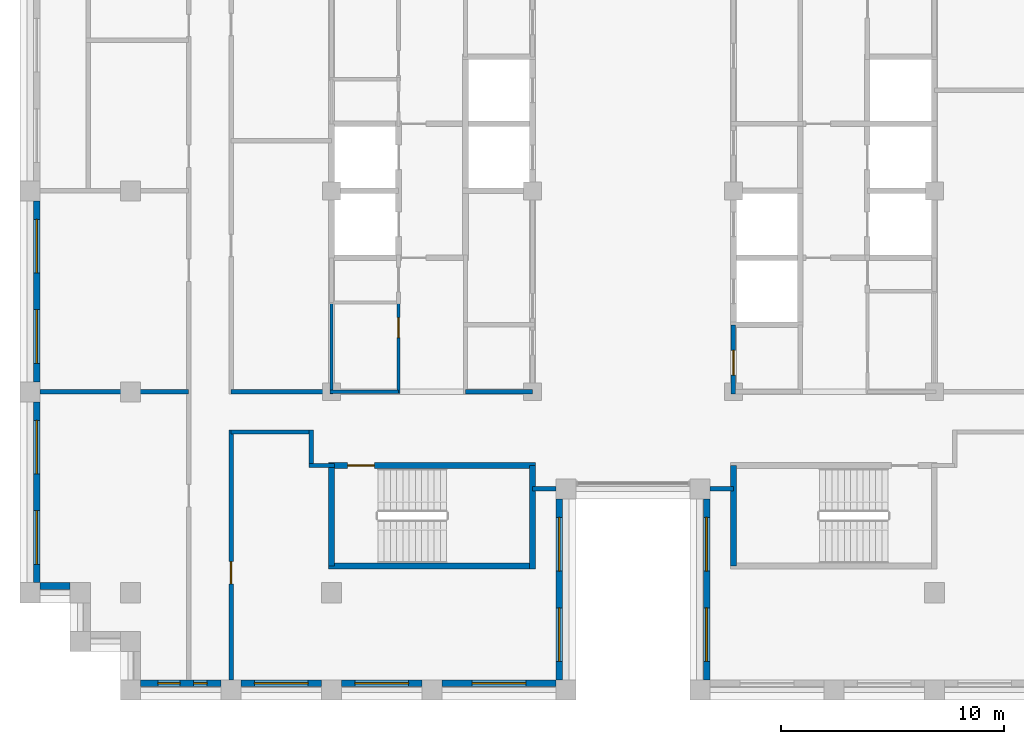
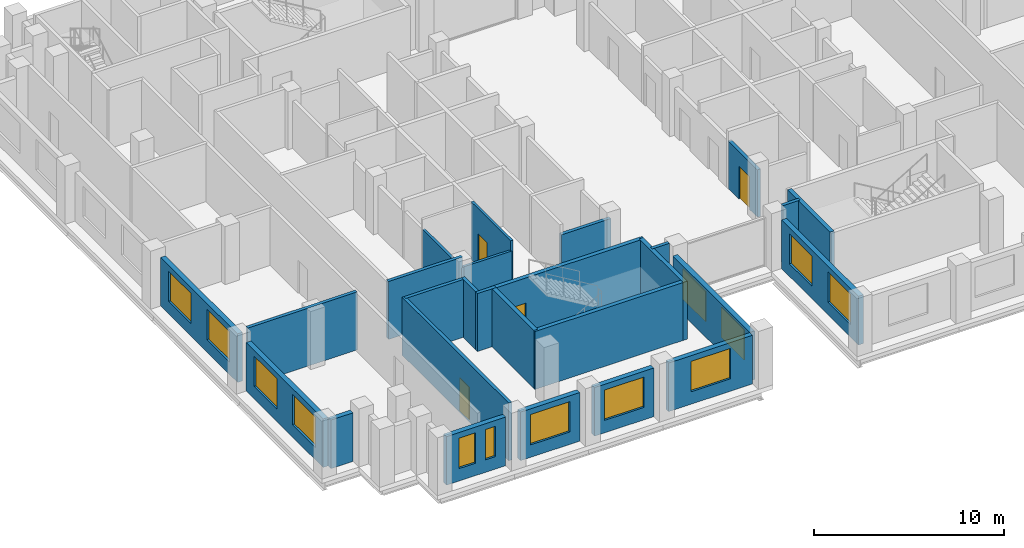
# One storey, part 6 of 13: 27 walls, 13 windows, 4 doors, 17 openings.
"""IFC4 building model written with IfcOpenShell, lengths in metres."""

from ifc_helpers import new_model, si_unit, direction, frame, frame_2d, origin, place, context, subcontext, project, spatial, rectangle, extrude, material, layer, layer_set, type_object, element, fill, save


model = new_model("IFC4")

# Units and contexts
model_context = context("Model", 3, precision=1e-05, world=origin(), true_north=direction((0.0, 1.0)))
body_context = subcontext(model_context, "Body", "Model", "MODEL_VIEW")
ifc_project = project(units=[si_unit("LENGTHUNIT", "METRE"), si_unit("AREAUNIT", "SQUARE_METRE"), si_unit("VOLUMEUNIT", "CUBIC_METRE"), si_unit("PLANEANGLEUNIT", "RADIAN"), si_unit("MASSUNIT", "GRAM", prefix="KILO")], contexts=[model_context])

# Site, building, storey
site_placement = place(None, origin())
site = spatial("IfcSite", under=ifc_project, at=site_placement, CompositionType="ELEMENT")
building_placement = place(site_placement, origin())
building = spatial("IfcBuilding", under=site, at=building_placement, Name="Corbelhall Arena Tower", CompositionType="ELEMENT")
storey_placement = place(building_placement, frame((0.0, 0.0, 246.0)))
storey = spatial("IfcBuildingStorey", under=building, at=storey_placement, Name="L52", CompositionType="ELEMENT", Elevation=246.0)

# Wall, openings, windows
ifc_material_1 = material(Name="Precast concrete C40/50 with granite facing", Category="masonry")
ifc_layer_1 = layer(ifc_material_1, 0.300048828125)
ifc_layer_set_1 = layer_set([ifc_layer_1], Name="EV-IW1 Infill panel 300")
wall_type_1 = type_object("IfcWallType", Name="EV-IW1 Infill panel 300", PredefinedType="SOLIDWALL", material=ifc_layer_set_1)
wall_1_placement = place(storey_placement, frame((-26.699951171875, -0.449951171875, 0.0), z_axis=(0.0, 0.0, 1.0), x_axis=(0.0, -1.0, 0.0)))
wall_1 = element("IfcWall", 1, at=wall_1_placement, inside=storey, type_object=wall_type_1, Name="Infill panel IW1", PredefinedType="SOLIDWALL", context=body_context, shape_type="SweptSolid", body=[
    extrude(rectangle(XDim=8.10009765625, YDim=0.300048828125, at=frame_2d((4.050048828125, 0.0))), origin(), (0.0, 0.0, 1.0), 3.1201171875),
])
opening_1_placement = place(wall_1_placement, frame((0.824951171875, 0.0, 0.800048828125)))
opening_1 = element("IfcOpeningElement", 2, at=opening_1_placement, cuts=wall_1, Name="Opening WN1", PredefinedType="OPENING", context=body_context, shape_type="SweptSolid", body=[
    extrude(rectangle(XDim=2.39990234375, YDim=1.949951171875, at=frame_2d((1.199951171875, 0.97509765625))), frame((0.0, 0.14990234375, 0.0), z_axis=(0.0, -1.0, 0.0), x_axis=(1.0, 0.0, 0.0)), (0.0, 0.0, 1.0), 0.300048828125),
])
opening_2_placement = place(wall_1_placement, frame((4.875, 0.0, 0.800048828125)))
opening_2 = element("IfcOpeningElement", 3, at=opening_2_placement, cuts=wall_1, Name="Opening WN1", PredefinedType="OPENING", context=body_context, shape_type="SweptSolid", body=[
    extrude(rectangle(XDim=2.39990234375, YDim=1.949951171875, at=frame_2d((1.199951171875, 0.97509765625))), frame((0.0, 0.14990234375, 0.0), z_axis=(0.0, -1.0, 0.0), x_axis=(1.0, 0.0, 0.0)), (0.0, 0.0, 1.0), 0.300048828125),
])
ifc_material_2 = material(Name="Aluminium black anodised", Category="aluminium")
window_type_1 = type_object("IfcWindowType", Name="EV-WN1 Office window", PartitioningType="SINGLE_PANEL", PredefinedType="WINDOW", material=ifc_material_2)
window_1_placement = place(opening_1_placement, origin())
window_1 = element("IfcWindow", 4, at=window_1_placement, inside=storey, type_object=window_type_1, Name="Window WN1", OverallHeight=1.949951171875, OverallWidth=2.39990234375, PartitioningType="SINGLE_PANEL", PredefinedType="WINDOW", context=body_context, shape_type="SweptSolid", body=[
    extrude(rectangle(XDim=2.39990234375, YDim=1.949951171875, at=frame_2d((1.199951171875, 0.97509765625))), frame((0.0, 0.030029296875, 0.0), z_axis=(0.0, -1.0, 0.0), x_axis=(1.0, 0.0, 0.0)), (0.0, 0.0, 1.0), 0.06005859375),
])
fill(opening_1, window_1)
window_2_placement = place(opening_2_placement, origin())
window_2 = element("IfcWindow", 5, at=window_2_placement, inside=storey, type_object=window_type_1, Name="Window WN1", OverallHeight=1.949951171875, OverallWidth=2.39990234375, PartitioningType="SINGLE_PANEL", PredefinedType="WINDOW", context=body_context, shape_type="SweptSolid", body=[
    extrude(rectangle(XDim=2.39990234375, YDim=1.949951171875, at=frame_2d((1.199951171875, 0.97509765625))), frame((0.0, 0.030029296875, 0.0), z_axis=(0.0, -1.0, 0.0), x_axis=(1.0, 0.0, 0.0)), (0.0, 0.0, 1.0), 0.06005859375),
])
fill(opening_2, window_2)

wall_2_placement = place(storey_placement, frame((-26.699951171875, -9.449951171875, 0.0), z_axis=(0.0, 0.0, 1.0), x_axis=(0.0, -1.0, 0.0)))
wall_2 = element("IfcWall", 6, at=wall_2_placement, inside=storey, type_object=wall_type_1, Name="Infill panel IW1", PredefinedType="SOLIDWALL", context=body_context, shape_type="SweptSolid", body=[
    extrude(rectangle(XDim=8.10009765625, YDim=0.300048828125, at=frame_2d((4.050048828125, 0.0))), origin(), (0.0, 0.0, 1.0), 3.1201171875),
])
opening_3_placement = place(wall_2_placement, frame((0.824951171875, 0.0, 0.800048828125)))
opening_3 = element("IfcOpeningElement", 7, at=opening_3_placement, cuts=wall_2, Name="Opening WN1", PredefinedType="OPENING", context=body_context, shape_type="SweptSolid", body=[
    extrude(rectangle(XDim=2.39990234375, YDim=1.949951171875, at=frame_2d((1.199951171875, 0.97509765625))), frame((0.0, 0.14990234375, 0.0), z_axis=(0.0, -1.0, 0.0), x_axis=(1.0, 0.0, 0.0)), (0.0, 0.0, 1.0), 0.300048828125),
])
opening_4_placement = place(wall_2_placement, frame((4.875, 0.0, 0.800048828125)))
opening_4 = element("IfcOpeningElement", 8, at=opening_4_placement, cuts=wall_2, Name="Opening WN1", PredefinedType="OPENING", context=body_context, shape_type="SweptSolid", body=[
    extrude(rectangle(XDim=2.39990234375, YDim=1.949951171875, at=frame_2d((1.199951171875, 0.97509765625))), frame((0.0, 0.14990234375, 0.0), z_axis=(0.0, -1.0, 0.0), x_axis=(1.0, 0.0, 0.0)), (0.0, 0.0, 1.0), 0.300048828125),
])
window_3_placement = place(opening_3_placement, origin())
window_3 = element("IfcWindow", 9, at=window_3_placement, inside=storey, type_object=window_type_1, Name="Window WN1", OverallHeight=1.949951171875, OverallWidth=2.39990234375, PartitioningType="SINGLE_PANEL", PredefinedType="WINDOW", context=body_context, shape_type="SweptSolid", body=[
    extrude(rectangle(XDim=2.39990234375, YDim=1.949951171875, at=frame_2d((1.199951171875, 0.97509765625))), frame((0.0, 0.030029296875, 0.0), z_axis=(0.0, -1.0, 0.0), x_axis=(1.0, 0.0, 0.0)), (0.0, 0.0, 1.0), 0.06005859375),
])
fill(opening_3, window_3)
window_4_placement = place(opening_4_placement, origin())
window_4 = element("IfcWindow", 10, at=window_4_placement, inside=storey, type_object=window_type_1, Name="Window WN1", OverallHeight=1.949951171875, OverallWidth=2.39990234375, PartitioningType="SINGLE_PANEL", PredefinedType="WINDOW", context=body_context, shape_type="SweptSolid", body=[
    extrude(rectangle(XDim=2.39990234375, YDim=1.949951171875, at=frame_2d((1.199951171875, 0.97509765625))), frame((0.0, 0.030029296875, 0.0), z_axis=(0.0, -1.0, 0.0), x_axis=(1.0, 0.0, 0.0)), (0.0, 0.0, 1.0), 0.06005859375),
])
fill(opening_4, window_4)

# Wall
wall_3_placement = place(storey_placement, frame((-26.550048828125, -17.699951171875, 0.0), z_axis=(0.0, 0.0, 1.0), x_axis=(1.0, 0.0, 0.0)))
element("IfcWall", 11, at=wall_3_placement, inside=storey, type_object=wall_type_1, Name="Infill panel IW1", PredefinedType="SOLIDWALL", context=body_context, shape_type="SweptSolid", body=[
    extrude(rectangle(XDim=1.35009765625, YDim=0.300048828125, at=frame_2d((0.675048828125, 0.0))), origin(), (0.0, 0.0, 1.0), 3.1201171875),
])

# Wall, openings, windows
wall_4_placement = place(storey_placement, frame((-22.050048828125, -22.050048828125, 0.0), z_axis=(0.0, 0.0, 1.0), x_axis=(1.0, 0.0, 0.0)))
wall_4 = element("IfcWall", 12, at=wall_4_placement, inside=storey, type_object=wall_type_1, Name="Infill panel IW1", PredefinedType="SOLIDWALL", context=body_context, shape_type="SweptSolid", body=[
    extrude(rectangle(XDim=3.60009765625, YDim=0.300048828125, at=frame_2d((1.800048828125, 0.0))), origin(), (0.0, 0.0, 1.0), 3.1201171875),
])
opening_5_placement = place(wall_4_placement, frame((0.77490234375, 0.0, 0.800048828125)))
opening_5 = element("IfcOpeningElement", 13, at=opening_5_placement, cuts=wall_4, Name="Opening WN6", PredefinedType="OPENING", context=body_context, shape_type="SweptSolid", body=[
    extrude(rectangle(XDim=1.0, YDim=1.949951171875, at=frame_2d((0.5, 0.97509765625))), frame((0.0, 0.14990234375, 0.0), z_axis=(0.0, -1.0, 0.0), x_axis=(1.0, 0.0, 0.0)), (0.0, 0.0, 1.0), 0.300048828125),
])
opening_6_placement = place(wall_4_placement, frame((2.375, 0.0, 0.800048828125)))
opening_6 = element("IfcOpeningElement", 14, at=opening_6_placement, cuts=wall_4, Name="Opening WN5", PredefinedType="OPENING", context=body_context, shape_type="SweptSolid", body=[
    extrude(rectangle(XDim=0.60009765625, YDim=1.949951171875, at=frame_2d((0.300048828125, 0.97509765625))), frame((0.0, 0.14990234375, 0.0), z_axis=(0.0, -1.0, 0.0), x_axis=(1.0, 0.0, 0.0)), (0.0, 0.0, 1.0), 0.300048828125),
])
window_type_2 = type_object("IfcWindowType", Name="EV-WN5 Office window 600", PartitioningType="SINGLE_PANEL", PredefinedType="WINDOW", material=ifc_material_2)
window_5_placement = place(opening_6_placement, origin())
window_5 = element("IfcWindow", 15, at=window_5_placement, inside=storey, type_object=window_type_2, Name="Window WN5", OverallHeight=1.949951171875, OverallWidth=0.60009765625, PartitioningType="SINGLE_PANEL", PredefinedType="WINDOW", context=body_context, shape_type="SweptSolid", body=[
    extrude(rectangle(XDim=0.60009765625, YDim=1.949951171875, at=frame_2d((0.300048828125, 0.97509765625))), frame((0.0, 0.030029296875, 0.0), z_axis=(0.0, -1.0, 0.0), x_axis=(1.0, 0.0, 0.0)), (0.0, 0.0, 1.0), 0.06005859375),
])
fill(opening_6, window_5)
window_type_3 = type_object("IfcWindowType", Name="EV-WN6 Office window 1000", PartitioningType="SINGLE_PANEL", PredefinedType="WINDOW", material=ifc_material_2)
window_6_placement = place(opening_5_placement, origin())
window_6 = element("IfcWindow", 16, at=window_6_placement, inside=storey, type_object=window_type_3, Name="Window WN6", OverallHeight=1.949951171875, OverallWidth=1.0, PartitioningType="SINGLE_PANEL", PredefinedType="WINDOW", context=body_context, shape_type="SweptSolid", body=[
    extrude(rectangle(XDim=1.0, YDim=1.949951171875, at=frame_2d((0.5, 0.97509765625))), frame((0.0, 0.030029296875, 0.0), z_axis=(0.0, -1.0, 0.0), x_axis=(1.0, 0.0, 0.0)), (0.0, 0.0, 1.0), 0.06005859375),
])
fill(opening_5, window_6)

# Wall, opening, window
wall_5_placement = place(storey_placement, frame((-17.550048828125, -22.050048828125, 0.0), z_axis=(0.0, 0.0, 1.0), x_axis=(1.0, 0.0, 0.0)))
wall_5 = element("IfcWall", 17, at=wall_5_placement, inside=storey, type_object=wall_type_1, Name="Infill panel IW1", PredefinedType="SOLIDWALL", context=body_context, shape_type="SweptSolid", body=[
    extrude(rectangle(XDim=3.60009765625, YDim=0.300048828125, at=frame_2d((1.800048828125, 0.0))), origin(), (0.0, 0.0, 1.0), 3.1201171875),
])
opening_7_placement = place(wall_5_placement, frame((0.60009765625, 0.0, 0.800048828125)))
opening_7 = element("IfcOpeningElement", 18, at=opening_7_placement, cuts=wall_5, Name="Opening WN1", PredefinedType="OPENING", context=body_context, shape_type="SweptSolid", body=[
    extrude(rectangle(XDim=2.39990234375, YDim=1.949951171875, at=frame_2d((1.199951171875, 0.97509765625))), frame((0.0, 0.14990234375, 0.0), z_axis=(0.0, -1.0, 0.0), x_axis=(1.0, 0.0, 0.0)), (0.0, 0.0, 1.0), 0.300048828125),
])
window_7_placement = place(opening_7_placement, origin())
window_7 = element("IfcWindow", 19, at=window_7_placement, inside=storey, type_object=window_type_1, Name="Window WN1", OverallHeight=1.949951171875, OverallWidth=2.39990234375, PartitioningType="SINGLE_PANEL", PredefinedType="WINDOW", context=body_context, shape_type="SweptSolid", body=[
    extrude(rectangle(XDim=2.39990234375, YDim=1.949951171875, at=frame_2d((1.199951171875, 0.97509765625))), frame((0.0, 0.030029296875, 0.0), z_axis=(0.0, -1.0, 0.0), x_axis=(1.0, 0.0, 0.0)), (0.0, 0.0, 1.0), 0.06005859375),
])
fill(opening_7, window_7)

wall_6_placement = place(storey_placement, frame((-13.050048828125, -22.050048828125, 0.0), z_axis=(0.0, 0.0, 1.0), x_axis=(1.0, 0.0, 0.0)))
wall_6 = element("IfcWall", 20, at=wall_6_placement, inside=storey, type_object=wall_type_1, Name="Infill panel IW1", PredefinedType="SOLIDWALL", context=body_context, shape_type="SweptSolid", body=[
    extrude(rectangle(XDim=3.60009765625, YDim=0.300048828125, at=frame_2d((1.800048828125, 0.0))), origin(), (0.0, 0.0, 1.0), 3.1201171875),
])
opening_8_placement = place(wall_6_placement, frame((0.60009765625, 0.0, 0.800048828125)))
opening_8 = element("IfcOpeningElement", 21, at=opening_8_placement, cuts=wall_6, Name="Opening WN1", PredefinedType="OPENING", context=body_context, shape_type="SweptSolid", body=[
    extrude(rectangle(XDim=2.39990234375, YDim=1.949951171875, at=frame_2d((1.199951171875, 0.97509765625))), frame((0.0, 0.14990234375, 0.0), z_axis=(0.0, -1.0, 0.0), x_axis=(1.0, 0.0, 0.0)), (0.0, 0.0, 1.0), 0.300048828125),
])
window_8_placement = place(opening_8_placement, origin())
window_8 = element("IfcWindow", 22, at=window_8_placement, inside=storey, type_object=window_type_1, Name="Window WN1", OverallHeight=1.949951171875, OverallWidth=2.39990234375, PartitioningType="SINGLE_PANEL", PredefinedType="WINDOW", context=body_context, shape_type="SweptSolid", body=[
    extrude(rectangle(XDim=2.39990234375, YDim=1.949951171875, at=frame_2d((1.199951171875, 0.97509765625))), frame((0.0, 0.030029296875, 0.0), z_axis=(0.0, -1.0, 0.0), x_axis=(1.0, 0.0, 0.0)), (0.0, 0.0, 1.0), 0.06005859375),
])
fill(opening_8, window_8)

wall_7_placement = place(storey_placement, frame((-8.550048828125, -22.050048828125, 0.0), z_axis=(0.0, 0.0, 1.0), x_axis=(1.0, 0.0, 0.0)))
wall_7 = element("IfcWall", 23, at=wall_7_placement, inside=storey, type_object=wall_type_1, Name="Infill panel IW1", PredefinedType="SOLIDWALL", context=body_context, shape_type="SweptSolid", body=[
    extrude(rectangle(XDim=5.10009765625, YDim=0.300048828125, at=frame_2d((2.550048828125, 0.0))), origin(), (0.0, 0.0, 1.0), 3.1201171875),
])
opening_9_placement = place(wall_7_placement, frame((1.35009765625, 0.0, 0.800048828125)))
opening_9 = element("IfcOpeningElement", 24, at=opening_9_placement, cuts=wall_7, Name="Opening WN1", PredefinedType="OPENING", context=body_context, shape_type="SweptSolid", body=[
    extrude(rectangle(XDim=2.39990234375, YDim=1.949951171875, at=frame_2d((1.199951171875, 0.97509765625))), frame((0.0, 0.14990234375, 0.0), z_axis=(0.0, -1.0, 0.0), x_axis=(1.0, 0.0, 0.0)), (0.0, 0.0, 1.0), 0.300048828125),
])
window_9_placement = place(opening_9_placement, origin())
window_9 = element("IfcWindow", 25, at=window_9_placement, inside=storey, type_object=window_type_1, Name="Window WN1", OverallHeight=1.949951171875, OverallWidth=2.39990234375, PartitioningType="SINGLE_PANEL", PredefinedType="WINDOW", context=body_context, shape_type="SweptSolid", body=[
    extrude(rectangle(XDim=2.39990234375, YDim=1.949951171875, at=frame_2d((1.199951171875, 0.97509765625))), frame((0.0, 0.030029296875, 0.0), z_axis=(0.0, -1.0, 0.0), x_axis=(1.0, 0.0, 0.0)), (0.0, 0.0, 1.0), 0.06005859375),
])
fill(opening_9, window_9)

# Wall, openings, windows
wall_8_placement = place(storey_placement, frame((-3.300048828125, -21.89990234375, 0.0), z_axis=(0.0, 0.0, 1.0), x_axis=(0.0, 1.0, 0.0)))
wall_8 = element("IfcWall", 26, at=wall_8_placement, inside=storey, type_object=wall_type_1, Name="Infill panel IW1", PredefinedType="SOLIDWALL", context=body_context, shape_type="SweptSolid", body=[
    extrude(rectangle(XDim=8.099853515625, YDim=0.300048828125, at=frame_2d((4.0498046875, 0.0))), origin(), (0.0, 0.0, 1.0), 3.1201171875),
])
opening_10_placement = place(wall_8_placement, frame((0.824951171875, 0.0, 0.800048828125)))
opening_10 = element("IfcOpeningElement", 27, at=opening_10_placement, cuts=wall_8, Name="Opening WN1", PredefinedType="OPENING", context=body_context, shape_type="SweptSolid", body=[
    extrude(rectangle(XDim=2.39990234375, YDim=1.949951171875, at=frame_2d((1.199951171875, 0.97509765625))), frame((0.0, 0.14990234375, 0.0), z_axis=(0.0, -1.0, 0.0), x_axis=(1.0, 0.0, 0.0)), (0.0, 0.0, 1.0), 0.300048828125),
])
opening_11_placement = place(wall_8_placement, frame((4.875, 0.0, 0.800048828125)))
opening_11 = element("IfcOpeningElement", 28, at=opening_11_placement, cuts=wall_8, Name="Opening WN1", PredefinedType="OPENING", context=body_context, shape_type="SweptSolid", body=[
    extrude(rectangle(XDim=2.39990234375, YDim=1.949951171875, at=frame_2d((1.199951171875, 0.97509765625))), frame((0.0, 0.14990234375, 0.0), z_axis=(0.0, -1.0, 0.0), x_axis=(1.0, 0.0, 0.0)), (0.0, 0.0, 1.0), 0.300048828125),
])
window_10_placement = place(opening_10_placement, origin())
window_10 = element("IfcWindow", 29, at=window_10_placement, inside=storey, type_object=window_type_1, Name="Window WN1", OverallHeight=1.949951171875, OverallWidth=2.39990234375, PartitioningType="SINGLE_PANEL", PredefinedType="WINDOW", context=body_context, shape_type="SweptSolid", body=[
    extrude(rectangle(XDim=2.39990234375, YDim=1.949951171875, at=frame_2d((1.199951171875, 0.97509765625))), frame((0.0, 0.030029296875, 0.0), z_axis=(0.0, -1.0, 0.0), x_axis=(1.0, 0.0, 0.0)), (0.0, 0.0, 1.0), 0.06005859375),
])
fill(opening_10, window_10)
window_11_placement = place(opening_11_placement, origin())
window_11 = element("IfcWindow", 30, at=window_11_placement, inside=storey, type_object=window_type_1, Name="Window WN1", OverallHeight=1.949951171875, OverallWidth=2.39990234375, PartitioningType="SINGLE_PANEL", PredefinedType="WINDOW", context=body_context, shape_type="SweptSolid", body=[
    extrude(rectangle(XDim=2.39990234375, YDim=1.949951171875, at=frame_2d((1.199951171875, 0.97509765625))), frame((0.0, 0.030029296875, 0.0), z_axis=(0.0, -1.0, 0.0), x_axis=(1.0, 0.0, 0.0)), (0.0, 0.0, 1.0), 0.06005859375),
])
fill(opening_11, window_11)

wall_9_placement = place(storey_placement, frame((3.300048828125, -13.800048828125, 0.0), z_axis=(0.0, 0.0, 1.0), x_axis=(0.0, -1.0, 0.0)))
wall_9 = element("IfcWall", 31, at=wall_9_placement, inside=storey, type_object=wall_type_1, Name="Infill panel IW1", PredefinedType="SOLIDWALL", context=body_context, shape_type="SweptSolid", body=[
    extrude(rectangle(XDim=8.099853515625, YDim=0.300048828125, at=frame_2d((4.0498046875, 0.0))), origin(), (0.0, 0.0, 1.0), 3.1201171875),
])
opening_12_placement = place(wall_9_placement, frame((0.824951171875, 0.0, 0.800048828125)))
opening_12 = element("IfcOpeningElement", 32, at=opening_12_placement, cuts=wall_9, Name="Opening WN1", PredefinedType="OPENING", context=body_context, shape_type="SweptSolid", body=[
    extrude(rectangle(XDim=2.39990234375, YDim=1.949951171875, at=frame_2d((1.199951171875, 0.97509765625))), frame((0.0, 0.14990234375, 0.0), z_axis=(0.0, -1.0, 0.0), x_axis=(1.0, 0.0, 0.0)), (0.0, 0.0, 1.0), 0.300048828125),
])
opening_13_placement = place(wall_9_placement, frame((4.875, 0.0, 0.800048828125)))
opening_13 = element("IfcOpeningElement", 33, at=opening_13_placement, cuts=wall_9, Name="Opening WN1", PredefinedType="OPENING", context=body_context, shape_type="SweptSolid", body=[
    extrude(rectangle(XDim=2.39990234375, YDim=1.949951171875, at=frame_2d((1.199951171875, 0.97509765625))), frame((0.0, 0.14990234375, 0.0), z_axis=(0.0, -1.0, 0.0), x_axis=(1.0, 0.0, 0.0)), (0.0, 0.0, 1.0), 0.300048828125),
])
window_12_placement = place(opening_12_placement, origin())
window_12 = element("IfcWindow", 34, at=window_12_placement, inside=storey, type_object=window_type_1, Name="Window WN1", OverallHeight=1.949951171875, OverallWidth=2.39990234375, PartitioningType="SINGLE_PANEL", PredefinedType="WINDOW", context=body_context, shape_type="SweptSolid", body=[
    extrude(rectangle(XDim=2.39990234375, YDim=1.949951171875, at=frame_2d((1.199951171875, 0.97509765625))), frame((0.0, 0.030029296875, 0.0), z_axis=(0.0, -1.0, 0.0), x_axis=(1.0, 0.0, 0.0)), (0.0, 0.0, 1.0), 0.06005859375),
])
fill(opening_12, window_12)
window_13_placement = place(opening_13_placement, origin())
window_13 = element("IfcWindow", 35, at=window_13_placement, inside=storey, type_object=window_type_1, Name="Window WN1", OverallHeight=1.949951171875, OverallWidth=2.39990234375, PartitioningType="SINGLE_PANEL", PredefinedType="WINDOW", context=body_context, shape_type="SweptSolid", body=[
    extrude(rectangle(XDim=2.39990234375, YDim=1.949951171875, at=frame_2d((1.199951171875, 0.97509765625))), frame((0.0, 0.030029296875, 0.0), z_axis=(0.0, -1.0, 0.0), x_axis=(1.0, 0.0, 0.0)), (0.0, 0.0, 1.0), 0.06005859375),
])
fill(opening_13, window_13)

# Wall
ifc_material_3 = material(Name="Gypsum board on steel stud, acoustic", Category="steel")
ifc_layer_2 = layer(ifc_material_3, 0.199951171875)
ifc_layer_set_2 = layer_set([ifc_layer_2], Name="IN-W-DM200")
wall_type_2 = type_object("IfcWallType", Name="IN-W-DM200", PredefinedType="PARTITIONING", material=ifc_layer_set_2)
wall_10_placement = place(storey_placement, frame((-26.550048828125, -9.0, 0.0), z_axis=(0.0, 0.0, 1.0), x_axis=(1.0, 0.0, 0.0)))
element("IfcWall", 36, at=wall_10_placement, inside=storey, type_object=wall_type_2, Name="Partition 001", PredefinedType="PARTITIONING", context=body_context, shape_type="SweptSolid", body=[
    extrude(rectangle(XDim=6.650146484375, YDim=0.199951171875, at=frame_2d((3.3251953125, 0.0))), origin(), (0.0, 0.0, 1.0), 3.719970703125),
])

# Wall, opening, door
wall_11_placement = place(storey_placement, frame((-18.0, -10.699951171875, 0.0), z_axis=(0.0, 0.0, 1.0), x_axis=(0.0, -1.0, 0.0)))
wall_11 = element("IfcWall", 37, at=wall_11_placement, inside=storey, type_object=wall_type_2, Name="Partition 008", PredefinedType="PARTITIONING", context=body_context, shape_type="SweptSolid", body=[
    extrude(rectangle(XDim=11.199951171875, YDim=0.199951171875, at=frame_2d((5.60009765625, 0.0))), origin(), (0.0, 0.0, 1.0), 3.719970703125),
])
opening_14_placement = place(wall_11_placement, frame((5.89990234375, 0.0, 0.0)))
opening_14 = element("IfcOpeningElement", 38, at=opening_14_placement, cuts=wall_11, Name="Opening 16027", PredefinedType="OPENING", context=body_context, shape_type="SweptSolid", body=[
    extrude(rectangle(XDim=1.0, YDim=2.10009765625, at=frame_2d((0.5, 1.050048828125))), frame((0.0, 0.10009765625, 0.0), z_axis=(0.0, -1.0, 0.0), x_axis=(1.0, 0.0, 0.0)), (0.0, 0.0, 1.0), 0.199951171875),
])
ifc_material_4 = material(Name="Steel door set", Category="steel")
door_type_1 = type_object("IfcDoorType", Name="IN-D-SW100", OperationType="NOTDEFINED", PredefinedType="DOOR", material=ifc_material_4)
door_1_placement = place(opening_14_placement, origin())
door_1 = element("IfcDoor", 39, at=door_1_placement, inside=storey, type_object=door_type_1, Name="Door 027", OperationType="SINGLE_SWING_RIGHT", OverallHeight=2.10009765625, OverallWidth=1.0, PredefinedType="DOOR", context=body_context, shape_type="SweptSolid", body=[
    extrude(rectangle(XDim=1.0, YDim=2.10009765625, at=frame_2d((0.5, 1.050048828125))), frame((0.0, 0.02490234375, 0.0), z_axis=(0.0, -1.0, 0.0), x_axis=(1.0, 0.0, 0.0)), (0.0, 0.0, 1.0), 0.050048828125),
])
fill(opening_14, door_1)

# Walls
wall_12_placement = place(storey_placement, frame((-18.0, -9.0, 0.0), z_axis=(0.0, 0.0, 1.0), x_axis=(1.0, 0.0, 0.0)))
element("IfcWall", 40, at=wall_12_placement, inside=storey, type_object=wall_type_2, Name="Partition 009", PredefinedType="PARTITIONING", context=body_context, shape_type="SweptSolid", body=[
    extrude(rectangle(XDim=4.5, YDim=0.199951171875, at=frame_2d((2.25, 0.0))), origin(), (0.0, 0.0, 1.0), 3.719970703125),
])
wall_13_placement = place(storey_placement, frame((-14.39990234375, -12.300048828125, 0.0), z_axis=(0.0, 0.0, 1.0), x_axis=(0.0, 1.0, 0.0)))
element("IfcWall", 41, at=wall_13_placement, inside=storey, type_object=wall_type_2, Name="Partition 017", PredefinedType="PARTITIONING", context=body_context, shape_type="SweptSolid", body=[
    extrude(rectangle(XDim=1.60009765625, YDim=0.199951171875, at=frame_2d((0.800048828125, 0.0))), origin(), (0.0, 0.0, 1.0), 3.719970703125),
])
wall_14_placement = place(storey_placement, frame((-14.39990234375, -10.800048828125, 0.0), z_axis=(0.0, 0.0, 1.0), x_axis=(-1.0, 0.0, 0.0)))
element("IfcWall", 42, at=wall_14_placement, inside=storey, type_object=wall_type_2, Name="Partition 018", PredefinedType="PARTITIONING", context=body_context, shape_type="SweptSolid", body=[
    extrude(rectangle(XDim=3.60009765625, YDim=0.199951171875, at=frame_2d((1.800048828125, 0.0))), origin(), (0.0, 0.0, 1.0), 3.719970703125),
])
wall_15_placement = place(storey_placement, frame((-13.375, -12.300048828125, 0.0), z_axis=(0.0, 0.0, 1.0), x_axis=(-1.0, 0.0, 0.0)))
element("IfcWall", 43, at=wall_15_placement, inside=storey, type_object=wall_type_2, Name="Partition 021", PredefinedType="PARTITIONING", context=body_context, shape_type="SweptSolid", body=[
    extrude(rectangle(XDim=1.125, YDim=0.199951171875, at=frame_2d((0.5625, 0.0))), origin(), (0.0, 0.0, 1.0), 3.719970703125),
])
for number, where, z_axis, x_axis, name in (
    (44, (-3.449951171875, -13.35009765625, 0.0), (0.0, 0.0, 1.0), (-1.0, 0.0, 0.0), "Partition 023"),
    (45, (4.5, -13.35009765625, 0.0), (0.0, 0.0, 1.0), (-1.0, 0.0, 0.0), "Partition 025"),
):
    element("IfcWall", number, at=place(storey_placement, frame(where, z_axis=z_axis, x_axis=x_axis)), inside=storey, type_object=wall_type_2, Name=name, PredefinedType="PARTITIONING", context=body_context, shape_type="SweptSolid", body=[
        extrude(rectangle(XDim=1.050048828125, YDim=0.199951171875, at=frame_2d((0.52490234375, 0.0))), origin(), (0.0, 0.0, 1.0), 3.719970703125),
    ])
ifc_material_5 = material(Name="Concrete block wall", Category="concrete")
ifc_layer_3 = layer(ifc_material_5, 0.199951171875)
ifc_layer_set_3 = layer_set([ifc_layer_3], Name="IN-W-RS200 under beam 678 mm")
wall_type_3 = type_object("IfcWallType", Name="IN-W-RS200 under beam 678 mm", PredefinedType="SOLIDWALL", material=ifc_layer_set_3)
wall_16_placement = place(storey_placement, frame((-4.5, -9.0, 0.0), z_axis=(0.0, 0.0, 1.0), x_axis=(-1.0, 0.0, 0.0)))
element("IfcWall", 46, at=wall_16_placement, inside=storey, type_object=wall_type_3, Name="Partition 053", PredefinedType="SOLIDWALL", context=body_context, shape_type="SweptSolid", body=[
    extrude(rectangle(XDim=3.0, YDim=0.199951171875, at=frame_2d((1.5, 0.0))), origin(), (0.0, 0.0, 1.0), 3.041748046875),
])

# Wall, opening, door
wall_17_placement = place(storey_placement, frame((4.5, -9.10009765625, 0.0), z_axis=(0.0, 0.0, 1.0), x_axis=(0.0, 1.0, 0.0)))
wall_17 = element("IfcWall", 47, at=wall_17_placement, inside=storey, type_object=wall_type_3, Name="Partition 057", PredefinedType="SOLIDWALL", context=body_context, shape_type="SweptSolid", body=[
    extrude(rectangle(XDim=3.10009765625, YDim=0.199951171875, at=frame_2d((1.550048828125, 0.0))), origin(), (0.0, 0.0, 1.0), 3.041748046875),
])
opening_15_placement = place(wall_17_placement, frame((0.85009765625, 0.0, 0.0)))
opening_15 = element("IfcOpeningElement", 48, at=opening_15_placement, cuts=wall_17, Name="Opening 16009", PredefinedType="OPENING", context=body_context, shape_type="SweptSolid", body=[
    extrude(rectangle(XDim=1.10009765625, YDim=2.10009765625, at=frame_2d((0.550048828125, 1.050048828125))), frame((0.0, 0.10009765625, 0.0), z_axis=(0.0, -1.0, 0.0), x_axis=(1.0, 0.0, 0.0)), (0.0, 0.0, 1.0), 0.199951171875),
])
door_type_2 = type_object("IfcDoorType", Name="IN-D-FD110", OperationType="NOTDEFINED", PredefinedType="DOOR", material=ifc_material_4)
door_2_placement = place(opening_15_placement, origin())
door_2 = element("IfcDoor", 49, at=door_2_placement, inside=storey, type_object=door_type_2, Name="Door 009", OperationType="SINGLE_SWING_RIGHT", OverallHeight=2.10009765625, OverallWidth=1.10009765625, PredefinedType="DOOR", context=body_context, shape_type="SweptSolid", body=[
    extrude(rectangle(XDim=1.10009765625, YDim=2.10009765625, at=frame_2d((0.550048828125, 1.050048828125))), frame((0.0, 0.02490234375, 0.0), z_axis=(0.0, -1.0, 0.0), x_axis=(1.0, 0.0, 0.0)), (0.0, 0.0, 1.0), 0.050048828125),
])
fill(opening_15, door_2)

# Walls
ifc_material_6 = material(Name="Concrete C40/50", Category="concrete")
ifc_layer_4 = layer(ifc_material_6, 0.25)
ifc_layer_set_4 = layer_set([ifc_layer_4], Name="IN-W-ST250")
wall_type_4 = type_object("IfcWallType", Name="IN-W-ST250", PredefinedType="SOLIDWALL", material=ifc_layer_set_4)
wall_18_placement = place(storey_placement, frame((-13.5, -16.800048828125, 0.0), z_axis=(0.0, 0.0, 1.0), x_axis=(0.0, 1.0, 0.0)))
element("IfcWall", 50, at=wall_18_placement, inside=storey, type_object=wall_type_4, Name="Shaft wall 089", PredefinedType="SOLIDWALL", context=body_context, shape_type="SweptSolid", body=[
    extrude(rectangle(XDim=4.5, YDim=0.25, at=frame_2d((2.25, 0.0))), origin(), (0.0, 0.0, 1.0), 3.719970703125),
])
wall_19_placement = place(storey_placement, frame((-4.5, -16.800048828125, 0.0), z_axis=(0.0, 0.0, 1.0), x_axis=(-1.0, 0.0, 0.0)))
element("IfcWall", 51, at=wall_19_placement, inside=storey, type_object=wall_type_4, Name="Shaft wall 091", PredefinedType="SOLIDWALL", context=body_context, shape_type="SweptSolid", body=[
    extrude(rectangle(XDim=9.125, YDim=0.25, at=frame_2d((4.5625, 0.0))), origin(), (0.0, 0.0, 1.0), 3.719970703125),
])
wall_20_placement = place(storey_placement, frame((-4.5, -12.300048828125, 0.0), z_axis=(0.0, 0.0, 1.0), x_axis=(0.0, -1.0, 0.0)))
element("IfcWall", 52, at=wall_20_placement, inside=storey, type_object=wall_type_4, Name="Shaft wall 092", PredefinedType="SOLIDWALL", context=body_context, shape_type="SweptSolid", body=[
    extrude(rectangle(XDim=4.625, YDim=0.25, at=frame_2d((2.3125, 0.0))), origin(), (0.0, 0.0, 1.0), 3.719970703125),
])

# Wall, opening, door
wall_21_placement = place(storey_placement, frame((-4.375, -12.300048828125, 0.0), z_axis=(0.0, 0.0, 1.0), x_axis=(-1.0, 0.0, 0.0)))
wall_21 = element("IfcWall", 53, at=wall_21_placement, inside=storey, type_object=wall_type_4, Name="Shaft wall 094", PredefinedType="SOLIDWALL", context=body_context, shape_type="SweptSolid", body=[
    extrude(rectangle(XDim=9.25, YDim=0.25, at=frame_2d((4.625, 0.0))), origin(), (0.0, 0.0, 1.0), 3.719970703125),
])
opening_16_placement = place(wall_21_placement, frame((7.199951171875, 0.0, 0.0)))
opening_16 = element("IfcOpeningElement", 54, at=opening_16_placement, cuts=wall_21, Name="Opening 16018", PredefinedType="OPENING", context=body_context, shape_type="SweptSolid", body=[
    extrude(rectangle(XDim=1.199951171875, YDim=2.10009765625, at=frame_2d((0.60009765625, 1.050048828125))), frame((0.0, 0.125, 0.0), z_axis=(0.0, -1.0, 0.0), x_axis=(1.0, 0.0, 0.0)), (0.0, 0.0, 1.0), 0.25),
])
door_type_3 = type_object("IfcDoorType", Name="IN-D-ST120", OperationType="NOTDEFINED", PredefinedType="DOOR", material=ifc_material_4)
door_3_placement = place(opening_16_placement, origin())
door_3 = element("IfcDoor", 55, at=door_3_placement, inside=storey, type_object=door_type_3, Name="Door 018", OperationType="SINGLE_SWING_LEFT", OverallHeight=2.10009765625, OverallWidth=1.199951171875, PredefinedType="DOOR", context=body_context, shape_type="SweptSolid", body=[
    extrude(rectangle(XDim=1.199951171875, YDim=2.10009765625, at=frame_2d((0.60009765625, 1.050048828125))), frame((0.0, 0.02490234375, 0.0), z_axis=(0.0, -1.0, 0.0), x_axis=(1.0, 0.0, 0.0)), (0.0, 0.0, 1.0), 0.050048828125),
])
fill(opening_16, door_3)

# Wall
wall_22_placement = place(storey_placement, frame((4.5, -16.800048828125, 0.0), z_axis=(0.0, 0.0, 1.0), x_axis=(0.0, 1.0, 0.0)))
element("IfcWall", 56, at=wall_22_placement, inside=storey, type_object=wall_type_4, Name="Shaft wall 097", PredefinedType="SOLIDWALL", context=body_context, shape_type="SweptSolid", body=[
    extrude(rectangle(XDim=4.5, YDim=0.25, at=frame_2d((2.25, 0.0))), origin(), (0.0, 0.0, 1.0), 3.719970703125),
])

# Wall, opening, door
ifc_material_7 = material(Name="Gypsum board on steel stud, moisture resistant", Category="steel")
ifc_layer_5 = layer(ifc_material_7, 0.14990234375)
ifc_layer_set_5 = layer_set([ifc_layer_5], Name="IN-W-WC150")
wall_type_5 = type_object("IfcWallType", Name="IN-W-WC150", PredefinedType="PARTITIONING", material=ifc_layer_set_5)
wall_23_placement = place(storey_placement, frame((-10.5, -9.074951171875, 0.0), z_axis=(0.0, 0.0, 1.0), x_axis=(0.0, 1.0, 0.0)))
wall_23 = element("IfcWall", 57, at=wall_23_placement, inside=storey, type_object=wall_type_5, Name="Partition 107", PredefinedType="PARTITIONING", context=body_context, shape_type="SweptSolid", body=[
    extrude(rectangle(XDim=4.14990234375, YDim=0.14990234375, at=frame_2d((2.074951171875, 0.0))), origin(), (0.0, 0.0, 1.0), 3.719970703125),
])
opening_17_placement = place(wall_23_placement, frame((2.5, 0.0, 0.0)))
opening_17 = element("IfcOpeningElement", 58, at=opening_17_placement, cuts=wall_23, Name="Opening 16006", PredefinedType="OPENING", context=body_context, shape_type="SweptSolid", body=[
    extrude(rectangle(XDim=0.89990234375, YDim=2.10009765625, at=frame_2d((0.449951171875, 1.050048828125))), frame((0.0, 0.074951171875, 0.0), z_axis=(0.0, -1.0, 0.0), x_axis=(1.0, 0.0, 0.0)), (0.0, 0.0, 1.0), 0.14990234375),
])
ifc_material_8 = material(Name="Timber door set", Category="wood")
door_type_4 = type_object("IfcDoorType", Name="IN-D-SW90", OperationType="NOTDEFINED", PredefinedType="DOOR", material=ifc_material_8)
door_4_placement = place(opening_17_placement, origin())
door_4 = element("IfcDoor", 59, at=door_4_placement, inside=storey, type_object=door_type_4, Name="Door 006", OperationType="SINGLE_SWING_LEFT", OverallHeight=2.10009765625, OverallWidth=0.89990234375, PredefinedType="DOOR", context=body_context, shape_type="SweptSolid", body=[
    extrude(rectangle(XDim=0.89990234375, YDim=2.10009765625, at=frame_2d((0.449951171875, 1.050048828125))), frame((0.0, 0.02490234375, 0.0), z_axis=(0.0, -1.0, 0.0), x_axis=(1.0, 0.0, 0.0)), (0.0, 0.0, 1.0), 0.050048828125),
])
fill(opening_17, door_4)

# Walls
ifc_layer_6 = layer(ifc_material_7, 0.14990234375)
ifc_layer_set_6 = layer_set([ifc_layer_6], Name="IN-W-WC150 under beam 678 mm")
wall_type_6 = type_object("IfcWallType", Name="IN-W-WC150 under beam 678 mm", PredefinedType="PARTITIONING", material=ifc_layer_set_6)
wall_24_placement = place(storey_placement, frame((-13.5, -9.10009765625, 0.0), z_axis=(0.0, 0.0, 1.0), x_axis=(0.0, 1.0, 0.0)))
element("IfcWall", 60, at=wall_24_placement, inside=storey, type_object=wall_type_6, Name="Partition 105", PredefinedType="PARTITIONING", context=body_context, shape_type="SweptSolid", body=[
    extrude(rectangle(XDim=4.10009765625, YDim=0.14990234375, at=frame_2d((2.050048828125, 0.0))), origin(), (0.0, 0.0, 1.0), 3.041748046875),
])
wall_25_placement = place(storey_placement, frame((-10.5, -9.0, 0.0), z_axis=(0.0, 0.0, 1.0), x_axis=(-1.0, 0.0, 0.0)))
element("IfcWall", 61, at=wall_25_placement, inside=storey, type_object=wall_type_6, Name="Partition 108", PredefinedType="PARTITIONING", context=body_context, shape_type="SweptSolid", body=[
    extrude(rectangle(XDim=3.074951171875, YDim=0.14990234375, at=frame_2d((1.53759765625, 0.0))), origin(), (0.0, 0.0, 1.0), 3.041748046875),
])

save(model, "model.ifc")
